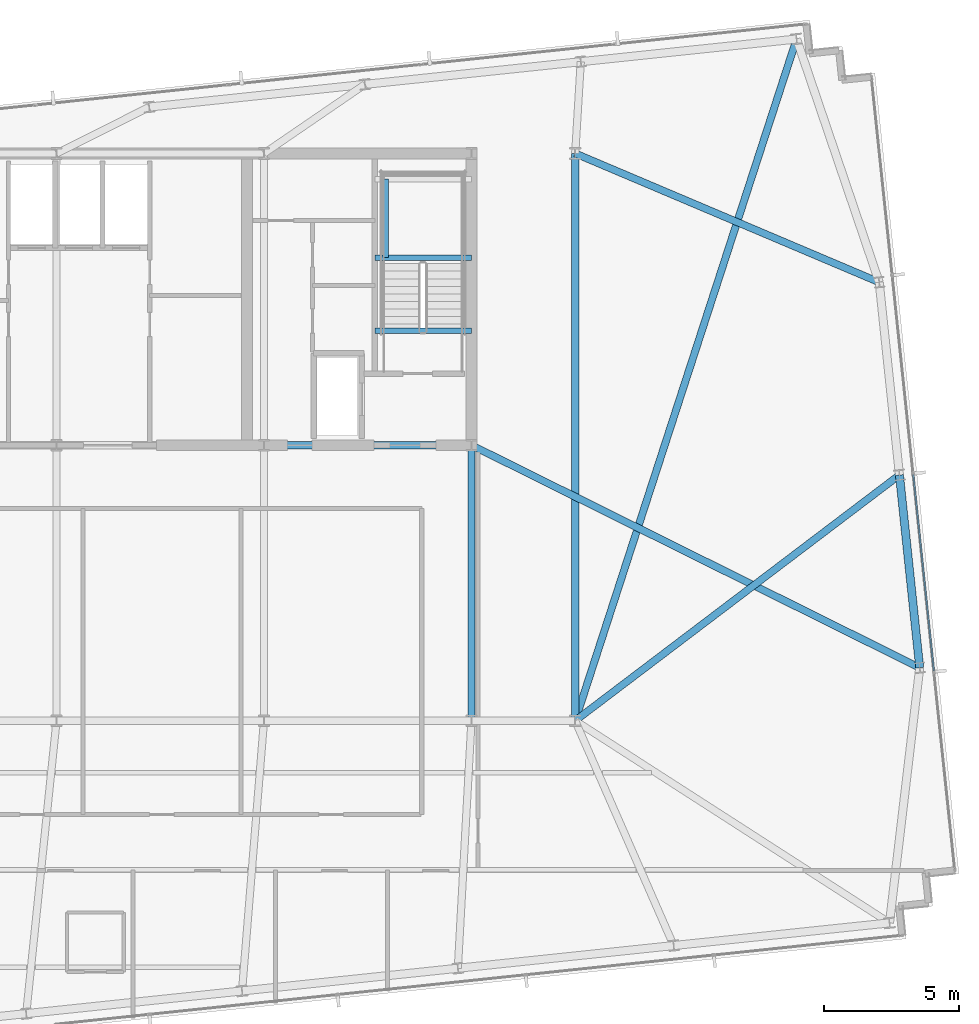
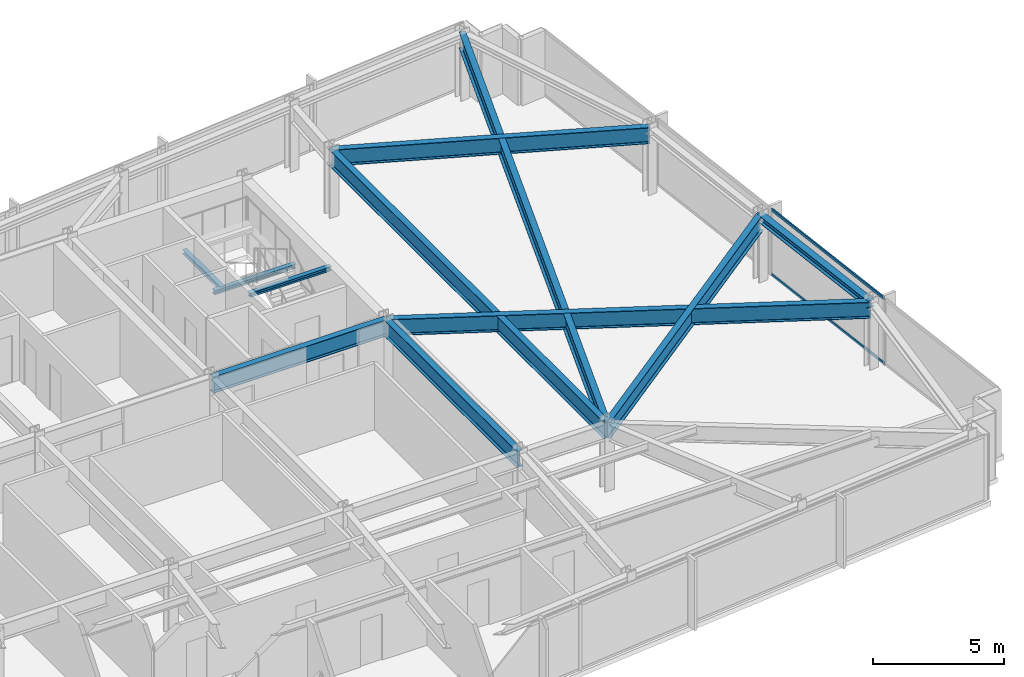
# One storey, part 18 of 32: 11 beams, 2 members, 1 element without a shape of its own.
"""IFC4 building model written with IfcOpenShell, lengths in metres."""

from ifc_helpers import new_model, si_unit, direction, frame, origin, origin_2d, place, context, subcontext, project, spatial, hollow_rectangle, i_section, extrude, material, material_profile, profile_set, type_object, element, aggregate, save


model = new_model("IFC4")

# Units and contexts
model_context = context("Model", 3, precision=1e-05, world=origin(), true_north=direction((0.0, 1.0)))
body_context = subcontext(model_context, "Body", "Model", "MODEL_VIEW")
ifc_project = project(units=[si_unit("LENGTHUNIT", "METRE"), si_unit("AREAUNIT", "SQUARE_METRE"), si_unit("VOLUMEUNIT", "CUBIC_METRE"), si_unit("PLANEANGLEUNIT", "RADIAN"), si_unit("MASSUNIT", "GRAM", prefix="KILO")], contexts=[model_context])

# Site, building, storey
site_placement = place(None, origin())
site = spatial("IfcSite", under=ifc_project, at=site_placement, CompositionType="ELEMENT")
building_placement = place(site_placement, origin())
building = spatial("IfcBuilding", under=site, at=building_placement, Name="Yelkora Congress Tower", CompositionType="ELEMENT")
storey_placement = place(building_placement, frame((0.0, 0.0, 214.39990234375)))
storey = spatial("IfcBuildingStorey", under=building, at=storey_placement, Name="L59", CompositionType="ELEMENT", Elevation=214.39990234375)

# Beams
ifc_material_1 = material(Name="Steel S355J2", Category="steel")
ifc_material_profile_1 = material_profile(ifc_material_1, i_section(OverallWidth=0.26708984375, OverallDepth=0.761962890625, WebThickness=0.014404296875, FlangeThickness=0.021484375, FilletRadius=0.01708984375, at=origin_2d()), Name="IPE 750x173")
ifc_profile_set_1 = profile_set([ifc_material_profile_1], Name="Steel S355J2")
beam_type_1 = type_object("IfcBeamType", Name="BM-GIRD-IPE750", PredefinedType="BEAM", material=ifc_profile_set_1)
beam_1_placement = place(storey_placement, frame((46.080078125, 35.39990234375, 2.69921875), z_axis=(1.0, 0.0, 0.0), x_axis=(0.0, 1.0, 0.0)))
element("IfcBeam", 1, at=beam_1_placement, inside=storey, type_object=beam_type_1, Name="L59 Core South Girder 4", PredefinedType="BEAM", context=body_context, shape_type="SweptSolid", body=[
    extrude(i_section(OverallWidth=0.26708984375, OverallDepth=0.761962890625, WebThickness=0.014404296875, FlangeThickness=0.021484375, FilletRadius=0.01708984375, at=origin_2d()), origin(), (0.0, 0.0, 1.0), 7.679931640625),
])
beam_2_placement = place(storey_placement, frame((53.760009765625, 25.199951171875, 2.69921875), z_axis=(0.0, 1.0, 0.0), x_axis=(-1.0, 0.0, 0.0)))
element("IfcBeam", 2, at=beam_2_placement, inside=storey, type_object=beam_type_1, Name="L59 Core Tie Girder MC-D5", PredefinedType="BEAM", context=body_context, shape_type="SweptSolid", body=[
    extrude(i_section(OverallWidth=0.26708984375, OverallDepth=0.761962890625, WebThickness=0.014404296875, FlangeThickness=0.021484375, FilletRadius=0.01708984375, at=origin_2d()), origin(), (0.0, 0.0, 1.0), 10.199951171875),
])
beam_3_placement = place(storey_placement, frame((57.60009765625, 25.199951171875, 2.69921875), z_axis=(0.0, 1.0, 0.0), x_axis=(-1.0, 0.0, 0.0)))
element("IfcBeam", 3, at=beam_3_placement, inside=storey, type_object=beam_type_1, Name="L59 Neck Flank Girder MC-F2", PredefinedType="BEAM", context=body_context, shape_type="SweptSolid", body=[
    extrude(i_section(OverallWidth=0.26708984375, OverallDepth=0.761962890625, WebThickness=0.014404296875, FlangeThickness=0.021484375, FilletRadius=0.01708984375, at=origin_2d()), origin(), (0.0, 0.0, 1.0), 21.0),
])
beam_4_placement = place(storey_placement, frame((65.7958984375, 50.4365234375, 2.69921875), z_axis=(-0.308878638672, -0.951101459663, 0.0), x_axis=(0.951101459663, -0.308878638672, 0.0)))
element("IfcBeam", 4, at=beam_4_placement, inside=storey, type_object=beam_type_1, Name="L59 Primary Frame Girder N07", PredefinedType="BEAM", context=body_context, shape_type="SweptSolid", body=[
    extrude(i_section(OverallWidth=0.26708984375, OverallDepth=0.761962890625, WebThickness=0.014404296875, FlangeThickness=0.021484375, FilletRadius=0.01708984375, at=origin_2d()), origin(), (0.0, 0.0, 1.0), 26.533935546875),
])
beam_5_placement = place(storey_placement, frame((70.35400390625, 27.160400390625, 2.69921875), z_axis=(-0.895665070913, 0.444729221826, 0.0), x_axis=(-0.444729221826, -0.895665070913, 0.0)))
element("IfcBeam", 5, at=beam_5_placement, inside=storey, type_object=beam_type_1, Name="L59 Primary Frame Girder E01", PredefinedType="BEAM", context=body_context, shape_type="SweptSolid", body=[
    extrude(i_section(OverallWidth=0.26708984375, OverallDepth=0.761962890625, WebThickness=0.014404296875, FlangeThickness=0.021484375, FilletRadius=0.01708984375, at=origin_2d()), origin(), (0.0, 0.0, 1.0), 18.527099609375),
])
beam_6_placement = place(storey_placement, frame((69.60400390625, 34.296142578125, 2.69921875), z_axis=(-0.797017901034, -0.603955681678, 0.0), x_axis=(0.603955681678, -0.797017901034, 0.0)))
element("IfcBeam", 6, at=beam_6_placement, inside=storey, type_object=beam_type_1, Name="L59 Primary Frame Girder E02", PredefinedType="BEAM", context=body_context, shape_type="SweptSolid", body=[
    extrude(i_section(OverallWidth=0.26708984375, OverallDepth=0.761962890625, WebThickness=0.014404296875, FlangeThickness=0.021484375, FilletRadius=0.01708984375, at=origin_2d()), origin(), (0.0, 0.0, 1.0), 15.06103515625),
])
beam_7_placement = place(storey_placement, frame((68.85400390625, 41.431884765625, 2.69921875), z_axis=(-0.920767530621, 0.390111720606, 0.0), x_axis=(-0.390111720606, -0.920767530621, 0.0)))
element("IfcBeam", 7, at=beam_7_placement, inside=storey, type_object=beam_type_1, Name="L59 Primary Frame Girder E03", PredefinedType="BEAM", context=body_context, shape_type="SweptSolid", body=[
    extrude(i_section(OverallWidth=0.26708984375, OverallDepth=0.761962890625, WebThickness=0.014404296875, FlangeThickness=0.021484375, FilletRadius=0.01708984375, at=origin_2d()), origin(), (0.0, 0.0, 1.0), 12.222412109375),
])
ifc_material_profile_2 = material_profile(ifc_material_1, i_section(OverallWidth=0.199951171875, OverallDepth=0.18994140625, WebThickness=0.006591796875, FlangeThickness=0.010009765625, FilletRadius=0.01806640625, at=origin_2d()), Name="HEA 200")
ifc_profile_set_2 = profile_set([ifc_material_profile_2], Name="Steel S355J2")
beam_type_2 = type_object("IfcBeamType", Name="BM-LAND-HEA200", PredefinedType="BEAM", material=ifc_profile_set_2)
beam_8_placement = place(storey_placement, frame((50.179931640625, 42.340087890625, 1.334716796875), z_axis=(1.0, 0.0, 0.0), x_axis=(0.0, 1.0, 0.0)))
element("IfcBeam", 8, at=beam_8_placement, inside=storey, type_object=beam_type_2, Name="ST-02 L59 Landing Header Beam 1S", PredefinedType="BEAM", context=body_context, shape_type="SweptSolid", body=[
    extrude(i_section(OverallWidth=0.199951171875, OverallDepth=0.18994140625, WebThickness=0.006591796875, FlangeThickness=0.010009765625, FilletRadius=0.01806640625, at=origin_2d()), origin(), (0.0, 0.0, 1.0), 3.580078125),
])
beam_9_placement = place(storey_placement, frame((50.580078125, 42.340087890625, 1.334716796875), z_axis=(0.0, 1.0, 0.0), x_axis=(-1.0, 0.0, 0.0)))
element("IfcBeam", 9, at=beam_9_placement, inside=storey, type_object=beam_type_2, Name="ST-02 L59 Landing Trimmer Beam 1M", PredefinedType="BEAM", context=body_context, shape_type="SweptSolid", body=[
    extrude(i_section(OverallWidth=0.199951171875, OverallDepth=0.18994140625, WebThickness=0.006591796875, FlangeThickness=0.010009765625, FilletRadius=0.01806640625, at=origin_2d()), origin(), (0.0, 0.0, 1.0), 2.909912109375),
])
beam_10_placement = place(storey_placement, frame((50.179931640625, 39.639892578125, 2.85400390625), z_axis=(1.0, 0.0, 0.0), x_axis=(0.0, 1.0, 0.0)))
element("IfcBeam", 10, at=beam_10_placement, inside=storey, type_object=beam_type_2, Name="ST-02 L59 Floor Arrival Stringer Header Beam", PredefinedType="BEAM", context=body_context, shape_type="SweptSolid", body=[
    extrude(i_section(OverallWidth=0.199951171875, OverallDepth=0.18994140625, WebThickness=0.006591796875, FlangeThickness=0.010009765625, FilletRadius=0.01806640625, at=origin_2d()), origin(), (0.0, 0.0, 1.0), 3.580078125),
])
ifc_material_profile_3 = material_profile(ifc_material_1, i_section(OverallWidth=0.300048828125, OverallDepth=0.340087890625, WebThickness=0.011962890625, FlangeThickness=0.021484375, FilletRadius=0.027099609375, at=origin_2d()), Name="HEB 340")
ifc_profile_set_3 = profile_set([ifc_material_profile_3], Name="Steel S355J2")
beam_type_3 = type_object("IfcBeamType", Name="BM-SPAN-HEB340", PredefinedType="SPANDREL", material=ifc_profile_set_3)
beam_11_placement = place(storey_placement, frame((70.35400390625, 27.160400390625, 2.91015625), z_axis=(-0.104528914631, 0.994521847928, 0.0), x_axis=(-0.994521847928, -0.104528914631, 0.0)))
element("IfcBeam", 11, at=beam_11_placement, inside=storey, type_object=beam_type_3, Name="L59 Perimeter Beam 10", PredefinedType="SPANDREL", context=body_context, shape_type="SweptSolid", body=[
    extrude(i_section(OverallWidth=0.300048828125, OverallDepth=0.340087890625, WebThickness=0.011962890625, FlangeThickness=0.021484375, FilletRadius=0.027099609375, at=origin_2d()), origin(), (0.0, 0.0, 1.0), 7.175048828125),
])

# Curtain wall, members
ifc_material_2 = material(Name="Anodised aluminium and insulated glass", Category="aluminium")
curtain_wall_type = type_object("IfcCurtainWallType", Name="CW-SYS-B4", PredefinedType="NOTDEFINED", material=ifc_material_2)
curtain_wall_placement = place(storey_placement, origin())
curtain_wall = element("IfcCurtainWall", 12, at=curtain_wall_placement, inside=storey, type_object=curtain_wall_type, Name="L59 Unitised Curtain Wall 15", PredefinedType="NOTDEFINED")
ifc_material_3 = material(Name="Anodised aluminium 6063-T6", Category="aluminium")
ifc_material_profile_4 = material_profile(ifc_material_3, hollow_rectangle(XDim=0.06005859375, YDim=0.1298828125, WallThickness=0.00390625, at=origin_2d()), Name="ALU 60x130x4")
ifc_profile_set_4 = profile_set([ifc_material_profile_4], Name="Anodised aluminium 6063-T6")
member_type = type_object("IfcMemberType", Name="MEM-TR-B4", PredefinedType="USERDEFINED", material=ifc_profile_set_4)
member_1_placement = place(storey_placement, frame((70.114501953125, 34.317138671875, 0.030029296875), z_axis=(0.104531896307, -0.994521534535, 0.0), x_axis=(0.994521534535, 0.104531896307, 0.0)))
member_1 = element("IfcMember", 13, at=member_1_placement, type_object=member_type, Name="CW-B4 transom 3.1", ObjectType="TRANSOM", PredefinedType="USERDEFINED", context=body_context, shape_type="SweptSolid", body=[
    extrude(hollow_rectangle(XDim=0.06005859375, YDim=0.1298828125, WallThickness=0.00390625, at=origin_2d()), origin(), (0.0, 0.0, 1.0), 7.31494140625),
])
member_2_placement = place(storey_placement, frame((70.114501953125, 34.317138671875, 3.050048828125), z_axis=(0.104531896307, -0.994521534535, 0.0), x_axis=(0.994521534535, 0.104531896307, 0.0)))
member_2 = element("IfcMember", 14, at=member_2_placement, type_object=member_type, Name="CW-B4 transom 3.2", ObjectType="TRANSOM", PredefinedType="USERDEFINED", context=body_context, shape_type="SweptSolid", body=[
    extrude(hollow_rectangle(XDim=0.06005859375, YDim=0.1298828125, WallThickness=0.00390625, at=origin_2d()), origin(), (0.0, 0.0, 1.0), 7.31494140625),
])
aggregate(curtain_wall, [member_1, member_2])

save(model, "model.ifc")
